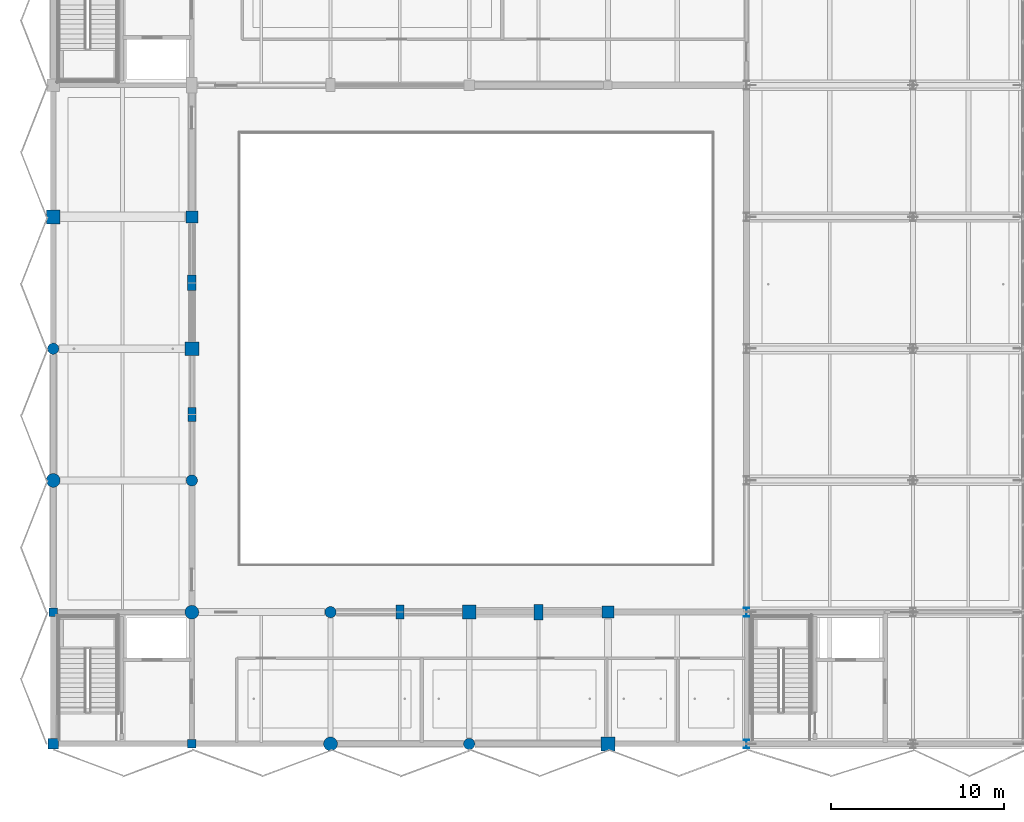
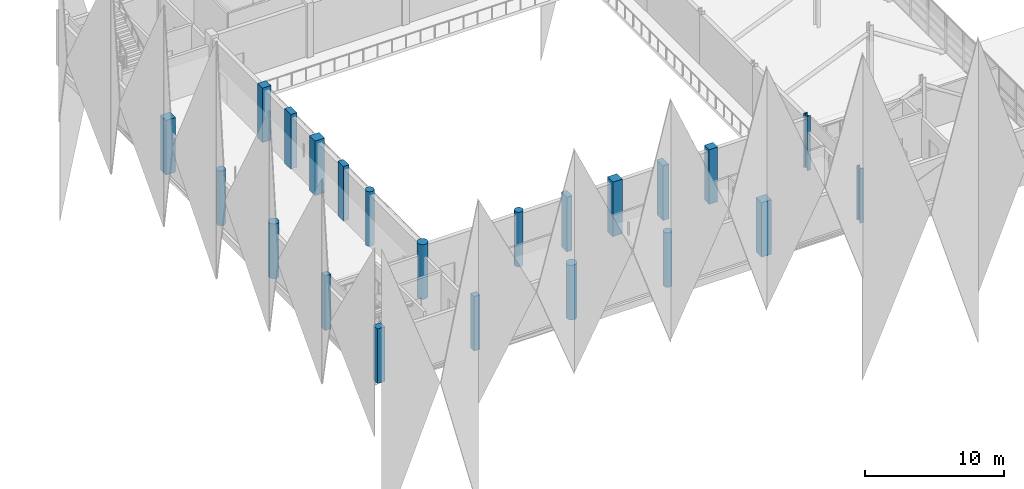
# One storey, part 1 of 107: 22 columns.
"""IFC4 building model written with IfcOpenShell, lengths in metres."""

from ifc_helpers import new_model, si_unit, direction, frame, origin, origin_with_axes, origin_2d, place, context, subcontext, project, spatial, rectangle, circle, i_section, extrude, material, material_profile, profile_set, type_object, element, save


model = new_model("IFC4")

# Units and contexts
model_context = context("Model", 3, precision=1e-05, world=origin(), true_north=direction((0.0, 1.0)))
body_context = subcontext(model_context, "Body", "Model", "MODEL_VIEW")
ifc_project = project(units=[si_unit("LENGTHUNIT", "METRE"), si_unit("AREAUNIT", "SQUARE_METRE"), si_unit("VOLUMEUNIT", "CUBIC_METRE"), si_unit("PLANEANGLEUNIT", "RADIAN"), si_unit("MASSUNIT", "GRAM", prefix="KILO")], contexts=[model_context])

# Site, building, storey
site_placement = place(None, origin())
site = spatial("IfcSite", under=ifc_project, at=site_placement, CompositionType="ELEMENT")
building_placement = place(site_placement, origin())
building = spatial("IfcBuilding", under=site, at=building_placement, Name="Khelvaren Railside Concert Hall", CompositionType="ELEMENT")
storey_placement = place(building_placement, frame((0.0, 0.0, 15.0)))
storey = spatial("IfcBuildingStorey", under=building, at=storey_placement, Name="L03", CompositionType="ELEMENT", Elevation=15.0)

# Columns
ifc_material_1 = material(Name="Concrete C45/55", Category="concrete")
ifc_material_profile_1 = material_profile(ifc_material_1, rectangle(XDim=0.60009765625, YDim=0.60009765625, at=origin_2d()), Name="RC 600x600")
ifc_profile_set_1 = profile_set([ifc_material_profile_1], Name="Concrete C45/55")
column_type_1 = type_object("IfcColumnType", Name="COL11", PredefinedType="COLUMN", material=ifc_profile_set_1)
column_1_placement = place(storey_placement, origin_with_axes())
element("IfcColumn", 1, at=column_1_placement, inside=storey, type_object=column_type_1, Name="V1 L03 Column (0.0,0.0)", PredefinedType="COLUMN", context=body_context, shape_type="SweptSolid", body=[
    extrude(rectangle(XDim=0.60009765625, YDim=0.60009765625, at=origin_2d()), origin(), (0.0, 0.0, 1.0), 4.800048828125),
])
ifc_material_profile_2 = material_profile(ifc_material_1, circle(Radius=0.39990234375, at=origin_2d()), Name="RC D800")
ifc_profile_set_2 = profile_set([ifc_material_profile_2], Name="Concrete C45/55")
column_type_2 = type_object("IfcColumnType", Name="COL14", PredefinedType="COLUMN", material=ifc_profile_set_2)
column_2_placement = place(storey_placement, frame((8.0, 7.60009765625, 0.0), z_axis=(0.0, 0.0, 1.0), x_axis=(1.0, 0.0, 0.0)))
element("IfcColumn", 2, at=column_2_placement, inside=storey, type_object=column_type_2, Name="V1 L03 Column (8.0,7.6)", PredefinedType="COLUMN", context=body_context, shape_type="SweptSolid", body=[
    extrude(circle(Radius=0.39990234375, at=origin_2d()), origin(), (0.0, 0.0, 1.0), 4.800048828125),
])
ifc_material_2 = material(Name="Steel S355", Category="steel")
ifc_material_profile_3 = material_profile(ifc_material_2, i_section(OverallWidth=0.300048828125, OverallDepth=0.5, WebThickness=0.014404296875, FlangeThickness=0.028076171875, FilletRadius=0.027099609375, at=origin_2d()), Name="HEB 500")
ifc_profile_set_3 = profile_set([ifc_material_profile_3], Name="Steel S355")
column_type_3 = type_object("IfcColumnType", Name="COL15", PredefinedType="COLUMN", material=ifc_profile_set_3)
column_3_placement = place(storey_placement, frame((40.0, 0.0, 0.0), z_axis=(0.0, 0.0, 1.0), x_axis=(1.0, 0.0, 0.0)))
element("IfcColumn", 3, at=column_3_placement, inside=storey, type_object=column_type_3, Name="V1 L03 Column (40.0,0.0)", PredefinedType="COLUMN", context=body_context, shape_type="SweptSolid", body=[
    extrude(i_section(OverallWidth=0.300048828125, OverallDepth=0.5, WebThickness=0.014404296875, FlangeThickness=0.028076171875, FilletRadius=0.027099609375, at=origin_2d()), origin(), (0.0, 0.0, 1.0), 4.800048828125),
])
ifc_material_profile_4 = material_profile(ifc_material_1, rectangle(XDim=0.800048828125, YDim=0.800048828125, at=origin_2d()), Name="RC 800x800")
ifc_profile_set_4 = profile_set([ifc_material_profile_4], Name="Concrete C45/55")
column_type_4 = type_object("IfcColumnType", Name="COL20", PredefinedType="COLUMN", material=ifc_profile_set_4)
for number, where, z_axis, x_axis, name in (
    (4, (8.0, 22.800048828125, 0.0), (0.0, 0.0, 1.0), (1.0, 0.0, 0.0), "V1 L03 Column (8.0,22.8)"),
    (5, (24.0, 7.60009765625, 0.0), (0.0, 0.0, 1.0), (1.0, 0.0, 0.0), "V1 L03 Column (24.0,7.6)"),
):
    element("IfcColumn", number, at=place(storey_placement, frame(where, z_axis=z_axis, x_axis=x_axis)), inside=storey, type_object=column_type_4, Name=name, PredefinedType="COLUMN", context=body_context, shape_type="SweptSolid", body=[
        extrude(rectangle(XDim=0.800048828125, YDim=0.800048828125, at=origin_2d()), origin(), (0.0, 0.0, 1.0), 4.800048828125),
    ])
ifc_material_profile_5 = material_profile(ifc_material_1, circle(Radius=0.39990234375, at=origin_2d()), Name="RC D800")
ifc_profile_set_5 = profile_set([ifc_material_profile_5], Name="Concrete C45/55")
column_type_5 = type_object("IfcColumnType", Name="COL22", PredefinedType="COLUMN", material=ifc_profile_set_5)
for number, where, z_axis, x_axis, name in (
    (6, (0.0, 15.199951171875, 0.0), (0.0, 0.0, 1.0), (1.0, 0.0, 0.0), "V1 L03 Column (0.0,15.2)"),
    (7, (16.0, 0.0, 0.0), (0.0, 0.0, 1.0), (1.0, 0.0, 0.0), "V1 L03 Column (16.0,0.0)"),
):
    element("IfcColumn", number, at=place(storey_placement, frame(where, z_axis=z_axis, x_axis=x_axis)), inside=storey, type_object=column_type_5, Name=name, PredefinedType="COLUMN", context=body_context, shape_type="SweptSolid", body=[
        extrude(circle(Radius=0.39990234375, at=origin_2d()), origin(), (0.0, 0.0, 1.0), 4.800048828125),
    ])
ifc_material_profile_6 = material_profile(ifc_material_2, i_section(OverallWidth=0.300048828125, OverallDepth=0.5, WebThickness=0.014404296875, FlangeThickness=0.028076171875, FilletRadius=0.027099609375, at=origin_2d()), Name="HEB 500")
ifc_profile_set_6 = profile_set([ifc_material_profile_6], Name="Steel S355")
column_type_6 = type_object("IfcColumnType", Name="COL25", PredefinedType="COLUMN", material=ifc_profile_set_6)
column_4_placement = place(storey_placement, frame((40.0, 7.60009765625, 0.0), z_axis=(0.0, 0.0, 1.0), x_axis=(1.0, 0.0, 0.0)))
element("IfcColumn", 8, at=column_4_placement, inside=storey, type_object=column_type_6, Name="V1 L03 Column (40.0,7.6)", PredefinedType="COLUMN", context=body_context, shape_type="SweptSolid", body=[
    extrude(i_section(OverallWidth=0.300048828125, OverallDepth=0.5, WebThickness=0.014404296875, FlangeThickness=0.028076171875, FilletRadius=0.027099609375, at=origin_2d()), origin(), (0.0, 0.0, 1.0), 4.800048828125),
])
ifc_material_profile_7 = material_profile(ifc_material_1, rectangle(XDim=0.5, YDim=0.5, at=origin_2d()), Name="RC 500x500")
ifc_profile_set_7 = profile_set([ifc_material_profile_7], Name="Concrete C45/55")
column_type_7 = type_object("IfcColumnType", Name="COL35", PredefinedType="COLUMN", material=ifc_profile_set_7)
for number, where, z_axis, x_axis, name in (
    (9, (0.0, 7.60009765625, 0.0), (0.0, 0.0, 1.0), (1.0, 0.0, 0.0), "V1 L03 Column (0.0,7.6)"),
    (10, (8.0, 0.0, 0.0), (0.0, 0.0, 1.0), (1.0, 0.0, 0.0), "V1 L03 Column (8.0,0.0)"),
):
    element("IfcColumn", number, at=place(storey_placement, frame(where, z_axis=z_axis, x_axis=x_axis)), inside=storey, type_object=column_type_7, Name=name, PredefinedType="COLUMN", context=body_context, shape_type="SweptSolid", body=[
        extrude(rectangle(XDim=0.5, YDim=0.5, at=origin_2d()), origin(), (0.0, 0.0, 1.0), 4.800048828125),
    ])
ifc_material_profile_8 = material_profile(ifc_material_1, rectangle(XDim=0.800048828125, YDim=0.800048828125, at=origin_2d()), Name="RC 800x800")
ifc_profile_set_8 = profile_set([ifc_material_profile_8], Name="Concrete C45/55")
column_type_8 = type_object("IfcColumnType", Name="COL38", PredefinedType="COLUMN", material=ifc_profile_set_8)
for number, where, z_axis, x_axis, name in (
    (11, (0.0, 30.39990234375, 0.0), (0.0, 0.0, 1.0), (1.0, 0.0, 0.0), "V1 L03 Column (0.0,30.4)"),
    (12, (32.0, 0.0, 0.0), (0.0, 0.0, 1.0), (1.0, 0.0, 0.0), "V1 L03 Column (32.0,0.0)"),
):
    element("IfcColumn", number, at=place(storey_placement, frame(where, z_axis=z_axis, x_axis=x_axis)), inside=storey, type_object=column_type_8, Name=name, PredefinedType="COLUMN", context=body_context, shape_type="SweptSolid", body=[
        extrude(rectangle(XDim=0.800048828125, YDim=0.800048828125, at=origin_2d()), origin(), (0.0, 0.0, 1.0), 4.800048828125),
    ])
ifc_material_profile_9 = material_profile(ifc_material_1, circle(Radius=0.324951171875, at=origin_2d()), Name="RC D650")
ifc_profile_set_9 = profile_set([ifc_material_profile_9], Name="Concrete C45/55")
column_type_9 = type_object("IfcColumnType", Name="COL53", PredefinedType="COLUMN", material=ifc_profile_set_9)
for number, where, z_axis, x_axis, name in (
    (13, (0.0, 22.800048828125, 0.0), (0.0, 0.0, 1.0), (1.0, 0.0, 0.0), "V1 L03 Column (0.0,22.8)"),
    (14, (24.0, 0.0, 0.0), (0.0, 0.0, 1.0), (1.0, 0.0, 0.0), "V1 L03 Column (24.0,0.0)"),
):
    element("IfcColumn", number, at=place(storey_placement, frame(where, z_axis=z_axis, x_axis=x_axis)), inside=storey, type_object=column_type_9, Name=name, PredefinedType="COLUMN", context=body_context, shape_type="SweptSolid", body=[
        extrude(circle(Radius=0.324951171875, at=origin_2d()), origin(), (0.0, 0.0, 1.0), 4.800048828125),
    ])
ifc_material_profile_10 = material_profile(ifc_material_1, rectangle(XDim=0.699951171875, YDim=0.699951171875, at=origin_2d()), Name="RC 700x700")
ifc_profile_set_10 = profile_set([ifc_material_profile_10], Name="Concrete C45/55")
column_type_10 = type_object("IfcColumnType", Name="COL74", PredefinedType="COLUMN", material=ifc_profile_set_10)
for number, where, z_axis, x_axis, name in (
    (15, (8.0, 30.39990234375, 0.0), (0.0, 0.0, 1.0), (1.0, 0.0, 0.0), "V1 L03 Column (8.0,30.4)"),
    (16, (32.0, 7.60009765625, 0.0), (0.0, 0.0, 1.0), (1.0, 0.0, 0.0), "V1 L03 Column (32.0,7.6)"),
):
    element("IfcColumn", number, at=place(storey_placement, frame(where, z_axis=z_axis, x_axis=x_axis)), inside=storey, type_object=column_type_10, Name=name, PredefinedType="COLUMN", context=body_context, shape_type="SweptSolid", body=[
        extrude(rectangle(XDim=0.699951171875, YDim=0.699951171875, at=origin_2d()), origin(), (0.0, 0.0, 1.0), 4.800048828125),
    ])
ifc_material_profile_11 = material_profile(ifc_material_1, circle(Radius=0.324951171875, at=origin_2d()), Name="RC D650")
ifc_profile_set_11 = profile_set([ifc_material_profile_11], Name="Concrete C45/55")
column_type_11 = type_object("IfcColumnType", Name="COL94", PredefinedType="COLUMN", material=ifc_profile_set_11)
for number, where, z_axis, x_axis, name in (
    (17, (8.0, 15.199951171875, 0.0), (0.0, 0.0, 1.0), (1.0, 0.0, 0.0), "V1 L03 Column (8.0,15.2)"),
    (18, (16.0, 7.60009765625, 0.0), (0.0, 0.0, 1.0), (1.0, 0.0, 0.0), "V1 L03 Column (16.0,7.6)"),
):
    element("IfcColumn", number, at=place(storey_placement, frame(where, z_axis=z_axis, x_axis=x_axis)), inside=storey, type_object=column_type_11, Name=name, PredefinedType="COLUMN", context=body_context, shape_type="SweptSolid", body=[
        extrude(circle(Radius=0.324951171875, at=origin_2d()), origin(), (0.0, 0.0, 1.0), 4.800048828125),
    ])
ifc_material_profile_12 = material_profile(ifc_material_1, rectangle(XDim=0.5, YDim=0.89990234375, at=origin_2d()), Name="PIL 500x900")
ifc_profile_set_12 = profile_set([ifc_material_profile_12], Name="Concrete C45/55")
column_type_12 = type_object("IfcColumnType", Name="PIL31", PredefinedType="PILASTER", material=ifc_profile_set_12)
for number, where, z_axis, x_axis, name in (
    (19, (8.0, 26.60009765625, 0.0), (0.0, 0.0, 1.0), (1.0, 0.0, 0.0), "Acoustic Buttress Pilaster 26"),
    (20, (28.0, 7.60009765625, 0.0), (0.0, 0.0, 1.0), (1.0, 0.0, 0.0), "Acoustic Buttress Pilaster 28"),
):
    element("IfcColumn", number, at=place(storey_placement, frame(where, z_axis=z_axis, x_axis=x_axis)), inside=storey, type_object=column_type_12, Name=name, PredefinedType="PILASTER", context=body_context, shape_type="SweptSolid", body=[
        extrude(rectangle(XDim=0.5, YDim=0.89990234375, at=origin_2d()), origin(), (0.0, 0.0, 1.0), 4.800048828125),
    ])
ifc_material_profile_13 = material_profile(ifc_material_1, rectangle(XDim=0.449951171875, YDim=0.800048828125, at=origin_2d()), Name="PIL 450x800")
ifc_profile_set_13 = profile_set([ifc_material_profile_13], Name="Concrete C45/55")
column_type_13 = type_object("IfcColumnType", Name="PIL63", PredefinedType="PILASTER", material=ifc_profile_set_13)
for number, where, z_axis, x_axis, name in (
    (21, (8.0, 19.0, 0.0), (0.0, 0.0, 1.0), (1.0, 0.0, 0.0), "Acoustic Buttress Pilaster 25"),
    (22, (20.0, 7.60009765625, 0.0), (0.0, 0.0, 1.0), (1.0, 0.0, 0.0), "Acoustic Buttress Pilaster 27"),
):
    element("IfcColumn", number, at=place(storey_placement, frame(where, z_axis=z_axis, x_axis=x_axis)), inside=storey, type_object=column_type_13, Name=name, PredefinedType="PILASTER", context=body_context, shape_type="SweptSolid", body=[
        extrude(rectangle(XDim=0.449951171875, YDim=0.800048828125, at=origin_2d()), origin(), (0.0, 0.0, 1.0), 4.800048828125),
    ])

save(model, "model.ifc")
